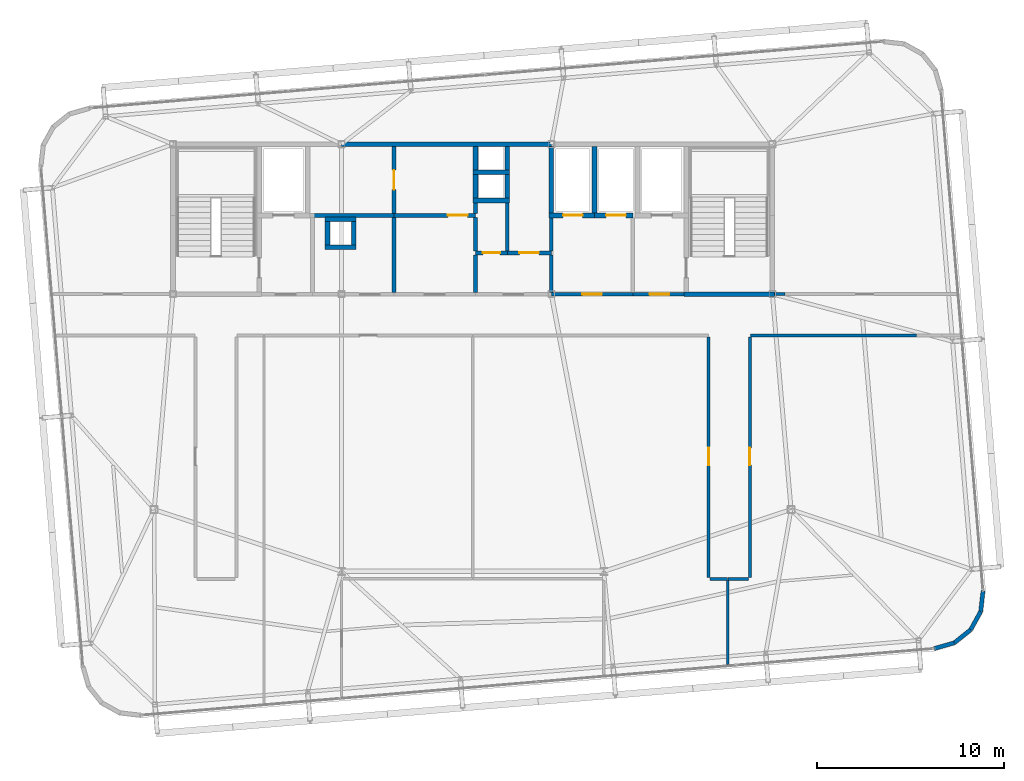
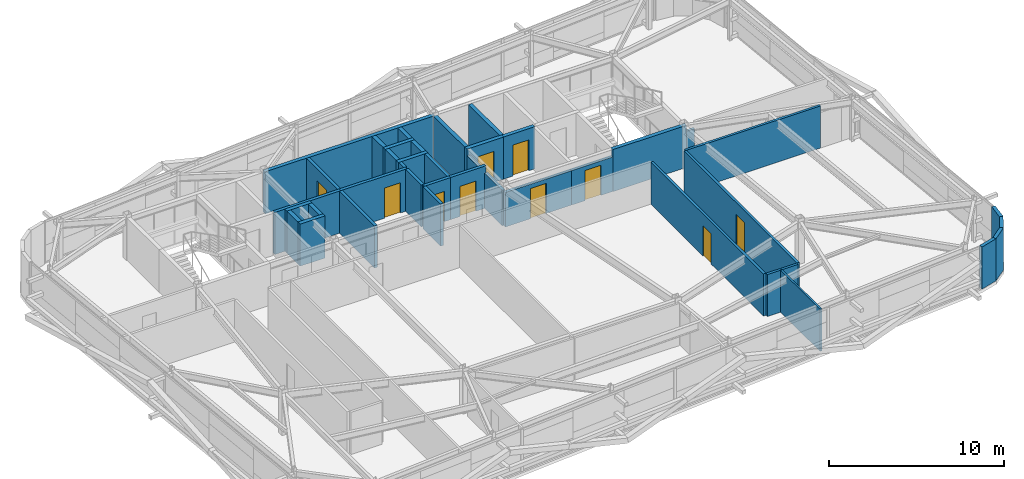
# One storey, part 36 of 39: 41 walls, 10 doors, 10 openings.
"""IFC4 building model written with IfcOpenShell, lengths in metres."""

from ifc_helpers import new_model, si_unit, direction, frame, frame_2d, origin, place, context, subcontext, project, spatial, rectangle, extrude, source, transform, mapped, material, layer, layer_set, type_object, element, fill, save


model = new_model("IFC4")

# Units and contexts
model_context = context("Model", 3, precision=1e-05, world=origin(), true_north=direction((0.0, 1.0)))
body_context = subcontext(model_context, "Body", "Model", "MODEL_VIEW")
ifc_project = project(units=[si_unit("LENGTHUNIT", "METRE"), si_unit("AREAUNIT", "SQUARE_METRE"), si_unit("VOLUMEUNIT", "CUBIC_METRE"), si_unit("PLANEANGLEUNIT", "RADIAN"), si_unit("MASSUNIT", "GRAM", prefix="KILO")], contexts=[model_context])

# Site, building, storey
site_placement = place(None, origin())
site = spatial("IfcSite", under=ifc_project, at=site_placement, CompositionType="ELEMENT")
building_placement = place(site_placement, origin())
building = spatial("IfcBuilding", under=site, at=building_placement, Name="Taldren Reach Tower", CompositionType="ELEMENT")
storey_placement = place(building_placement, frame((0.0, 0.0, 197.75)))
storey = spatial("IfcBuildingStorey", under=building, at=storey_placement, Name="L60", CompositionType="ELEMENT", Elevation=197.75)

# Walls
ifc_material_1 = material(Name="Pale Champagne Anodised Aluminium Cladding", Category="aluminium")
ifc_layer_1 = layer(ifc_material_1, 0.04, Name="Pale Champagne Anodised Aluminium Cladding", Category="aluminium")
ifc_material_2 = material(Name="Mineral Wool Acoustic Insulation", Category="insulation")
ifc_layer_2 = layer(ifc_material_2, 0.06, Name="Mineral Wool Acoustic Insulation", Category="insulation")
ifc_material_3 = material(Name="Steel Gr 350 (C350L0)", Category="steel")
ifc_layer_3 = layer(ifc_material_3, 0.12, Name="Steel Gr 350 (C350L0)", Category="steel")
ifc_layer_set_1 = layer_set([ifc_layer_1, ifc_layer_2, ifc_layer_3], Name="Pale Champagne Aluminium Cladding and Steel Gr 350 Stud Framing")
wall_type_1 = type_object("IfcWallType", Name="EW-CRN-220", PredefinedType="SOLIDWALL", material=ifc_layer_set_1)
shared_shape_1 = source(origin(), body_context, "Body", "SweptSolid", [
    extrude(rectangle(XDim=1.115966796875, YDim=0.219970703125, at=frame_2d((0.55810546875, 0.0))), origin(), (0.0, 0.0, 1.0), 2.929931640625),
])
for number, where, z_axis, x_axis, name in (
    (1, (59.635986328125, 5.0751953125, 0.0), (0.0, 0.0, 1.0), (0.961010464297, 0.276512002475, 0.0), "Rounded-corner pale-metal facade wall L60-SE1"),
    (2, (60.70849609375, 5.3837890625, 0.0), (0.0, 0.0, 1.0), (0.782147847222, 0.623092886403, 0.0), "Rounded-corner pale-metal facade wall L60-SE2"),
    (3, (61.581298828125, 6.0791015625, 0.0), (0.0, 0.0, 1.0), (0.483933071672, 0.875105012065, 0.0), "Rounded-corner pale-metal facade wall L60-SE3"),
    (4, (62.121337890625, 7.0556640625, 0.0), (0.0, 0.0, 1.0), (0.112448259968, 0.993657581277, 0.0), "Rounded-corner pale-metal facade wall L60-SE4"),
):
    element("IfcWall", number, at=place(storey_placement, frame(where, z_axis=z_axis, x_axis=x_axis)), inside=storey, type_object=wall_type_1, Name=name, PredefinedType="SOLIDWALL", context=body_context, shape_type="MappedRepresentation", body=[
        mapped(shared_shape_1, transform((0.0, 0.0, 0.0), scale=1.0)),
    ])

# Wall, opening, door
ifc_material_4 = material(Name="Concrete S50 (50 MPa)", Category="concrete")
ifc_layer_4 = layer(ifc_material_4, 0.199951171875)
ifc_layer_set_2 = layer_set([ifc_layer_4], Name="Concrete S50 (50 MPa)")
wall_type_2 = type_object("IfcWallType", Name="IW-CORE-200", PredefinedType="SOLIDWALL", material=ifc_layer_set_2)
shared_shape_2 = source(origin(), body_context, "Body", "SweptSolid", [
    extrude(rectangle(XDim=4.35009765625, YDim=0.199951171875, at=frame_2d((2.175048828125, 0.0))), origin(), (0.0, 0.0, 1.0), 2.39697265625),
])
wall_1_placement = place(storey_placement, frame((43.550048828125, 24.0, 0.0), z_axis=(0.0, 0.0, 1.0), x_axis=(-1.0, 0.0, 0.0)))
wall_1 = element("IfcWall", 5, at=wall_1_placement, inside=storey, type_object=wall_type_2, Name="Rear Core Shear Wall W-INT-L60-031", PredefinedType="SOLIDWALL", context=body_context, shape_type="MappedRepresentation", body=[
    mapped(shared_shape_2, transform((0.0, 0.0, 0.0), scale=1.0)),
])
shared_shape_3 = source(origin(), body_context, "Body", "SweptSolid", [
    extrude(rectangle(XDim=1.050048828125, YDim=2.10009765625, at=frame_2d((0.52490234375, 1.050048828125))), frame((0.0, 0.10986328125, 0.0), z_axis=(0.0, -1.0, 0.0), x_axis=(1.0, 0.0, 0.0)), (0.0, 0.0, 1.0), 0.219970703125),
])
opening_1_placement = place(wall_1_placement, frame((1.64990234375, 0.0, 0.0)))
opening_1 = element("IfcOpeningElement", 6, at=opening_1_placement, cuts=wall_1, Name="Opening DF-105", PredefinedType="OPENING", context=body_context, shape_type="MappedRepresentation", body=[
    mapped(shared_shape_3, transform((0.0, 0.0, 0.0), scale=1.0)),
])
ifc_material_5 = material(Name="Fire-Rated Care and Stair Exit Door")
door_type_1 = type_object("IfcDoorType", Name="ID-FIRE-105", OperationType="NOTDEFINED", PredefinedType="DOOR", material=ifc_material_5)
shared_shape_4 = source(origin(), body_context, "Body", "SweptSolid", [
    extrude(rectangle(XDim=1.050048828125, YDim=2.10009765625, at=frame_2d((0.52490234375, 1.050048828125))), frame((0.0, 0.02490234375, 0.0), z_axis=(0.0, -1.0, 0.0), x_axis=(1.0, 0.0, 0.0)), (0.0, 0.0, 1.0), 0.050048828125),
])
door_1_placement = place(opening_1_placement, frame((1.050048828125, 0.0, 0.0), z_axis=(0.0, 0.0, 1.0), x_axis=(-1.0, 0.0, 0.0)))
door_1 = element("IfcDoor", 7, at=door_1_placement, inside=storey, type_object=door_type_1, Name="Interior Door DR-L60-005", OperationType="SINGLE_SWING_LEFT", OverallHeight=2.10009765625, OverallWidth=1.050048828125, PredefinedType="DOOR", context=body_context, shape_type="MappedRepresentation", body=[
    mapped(shared_shape_4, transform((0.0, 0.0, 0.0), scale=1.0)),
])
fill(opening_1, door_1)

# Walls
shared_shape_5 = source(origin(), body_context, "Body", "SweptSolid", [
    extrude(rectangle(XDim=2.0, YDim=0.199951171875, at=frame_2d((1.0, 0.0))), origin(), (0.0, 0.0, 1.0), 2.469970703125),
])
wall_2_placement = place(storey_placement, frame((39.199951171875, 24.10009765625, 0.0), z_axis=(0.0, 0.0, 1.0), x_axis=(0.0, 1.0, 0.0)))
element("IfcWall", 8, at=wall_2_placement, inside=storey, type_object=wall_type_2, Name="Rear Core Shear Wall W-INT-L60-029", PredefinedType="SOLIDWALL", context=body_context, shape_type="MappedRepresentation", body=[
    mapped(shared_shape_5, transform((0.0, 0.0, 0.0), scale=1.0)),
])
shared_shape_6 = source(origin(), body_context, "Body", "SweptSolid", [
    extrude(rectangle(XDim=4.0, YDim=0.199951171875, at=frame_2d((2.0, 0.0))), origin(), (0.0, 0.0, 1.0), 2.929931640625),
])
wall_3_placement = place(storey_placement, frame((30.800048828125, 28.10009765625, 0.0), z_axis=(0.0, 0.0, 1.0), x_axis=(0.0, -1.0, 0.0)))
element("IfcWall", 9, at=wall_3_placement, inside=storey, type_object=wall_type_2, Name="Rear Core Shear Wall W-INT-L60-033", PredefinedType="SOLIDWALL", context=body_context, shape_type="MappedRepresentation", body=[
    mapped(shared_shape_6, transform((0.0, 0.0, 0.0), scale=1.0)),
])
shared_shape_7 = source(origin(), body_context, "Body", "SweptSolid", [
    extrude(rectangle(XDim=2.0, YDim=0.199951171875, at=frame_2d((1.0, 0.0))), origin(), (0.0, 0.0, 1.0), 2.929931640625),
])
wall_4_placement = place(storey_placement, frame((35.14990234375, 26.10009765625, 0.0), z_axis=(0.0, 0.0, 1.0), x_axis=(0.0, -1.0, 0.0)))
element("IfcWall", 10, at=wall_4_placement, inside=storey, type_object=wall_type_2, Name="Rear Core Shear Wall W-INT-L60-037", PredefinedType="SOLIDWALL", context=body_context, shape_type="MappedRepresentation", body=[
    mapped(shared_shape_7, transform((0.0, 0.0, 0.0), scale=1.0)),
])
shared_shape_8 = source(origin(), body_context, "Body", "SweptSolid", [
    extrude(rectangle(XDim=4.35009765625, YDim=0.199951171875, at=frame_2d((2.175048828125, 0.0))), origin(), (0.0, 0.0, 1.0), 2.929931640625),
])
wall_5_placement = place(storey_placement, frame((26.449951171875, 28.199951171875, 0.0), z_axis=(0.0, 0.0, 1.0), x_axis=(1.0, 0.0, 0.0)))
element("IfcWall", 11, at=wall_5_placement, inside=storey, type_object=wall_type_2, Name="Rear Core Shear Wall W-INT-L60-032", PredefinedType="SOLIDWALL", context=body_context, shape_type="MappedRepresentation", body=[
    mapped(shared_shape_8, transform((0.0, 0.0, 0.0), scale=1.0)),
])
ifc_material_6 = material(Name="Concrete S65 (65 MPa)", Category="concrete")
ifc_layer_5 = layer(ifc_material_6, 0.25)
ifc_layer_set_3 = layer_set([ifc_layer_5], Name="Concrete S65 (65 MPa)")
wall_type_3 = type_object("IfcWallType", Name="IW-CORE-250", PredefinedType="SHEAR", material=ifc_layer_set_3)
shared_shape_9 = source(origin(), body_context, "Body", "SweptSolid", [
    extrude(rectangle(XDim=11.199951171875, YDim=0.25, at=frame_2d((5.60009765625, 0.0))), origin(), (0.0, 0.0, 1.0), 2.929931640625),
])
wall_6_placement = place(storey_placement, frame((28.0, 32.0, 0.0), z_axis=(0.0, 0.0, 1.0), x_axis=(1.0, 0.0, 0.0)))
element("IfcWall", 12, at=wall_6_placement, inside=storey, type_object=wall_type_3, Name="Rear Core Shear Wall W-CORE-L60-NORTH2", PredefinedType="SHEAR", context=body_context, shape_type="MappedRepresentation", body=[
    mapped(shared_shape_9, transform((0.0, 0.0, 0.0), scale=1.0)),
])
shared_shape_10 = source(origin(), body_context, "Body", "SweptSolid", [
    extrude(rectangle(XDim=3.550048828125, YDim=0.25, at=frame_2d((1.77490234375, 0.0))), origin(), (0.0, 0.0, 1.0), 2.929931640625),
])
for number, where, z_axis, x_axis, name in (
    (13, (41.5, 28.324951171875, 0.0), (0.0, 0.0, 1.0), (0.0, 1.0, 0.0), "Rear Core Shear Wall W-INT-L60-025"),
    (14, (39.199951171875, 31.875, 0.0), (0.0, 0.0, 1.0), (0.0, -1.0, 0.0), "Rear Core Shear Wall W-INT-L60-027"),
):
    element("IfcWall", number, at=place(storey_placement, frame(where, z_axis=z_axis, x_axis=x_axis)), inside=storey, type_object=wall_type_3, Name=name, PredefinedType="SHEAR", context=body_context, shape_type="MappedRepresentation", body=[
        mapped(shared_shape_10, transform((0.0, 0.0, 0.0), scale=1.0)),
    ])
shared_shape_11 = source(origin(), body_context, "Body", "SweptSolid", [
    extrude(rectangle(XDim=4.85009765625, YDim=0.25, at=frame_2d((2.425048828125, 0.0))), origin(), (0.0, 0.0, 1.0), 2.929931640625),
])
wall_7_placement = place(storey_placement, frame((46.27490234375, 24.0, 0.0), z_axis=(0.0, 0.0, 1.0), x_axis=(1.0, 0.0, 0.0)))
element("IfcWall", 15, at=wall_7_placement, inside=storey, type_object=wall_type_3, Name="Rear Core Shear Wall W-INT-L60-010", PredefinedType="SHEAR", context=body_context, shape_type="MappedRepresentation", body=[
    mapped(shared_shape_11, transform((0.0, 0.0, 0.0), scale=1.0)),
])

# Wall, opening, door
shared_shape_12 = source(origin(), body_context, "Body", "SweptSolid", [
    extrude(rectangle(XDim=2.724853515625, YDim=0.199951171875, at=frame_2d((1.3623046875, 0.0))), origin(), (0.0, 0.0, 1.0), 2.39697265625),
])
wall_8_placement = place(storey_placement, frame((43.550048828125, 24.0, 0.0), z_axis=(0.0, 0.0, 1.0), x_axis=(1.0, 0.0, 0.0)))
wall_8 = element("IfcWall", 16, at=wall_8_placement, inside=storey, type_object=wall_type_2, Name="Rear Core Shear Wall W-INT-L60-014", PredefinedType="SOLIDWALL", context=body_context, shape_type="MappedRepresentation", body=[
    mapped(shared_shape_12, transform((0.0, 0.0, 0.0), scale=1.0)),
])
opening_2_placement = place(wall_8_placement, frame((0.89990234375, 0.0, 0.0)))
opening_2 = element("IfcOpeningElement", 17, at=opening_2_placement, cuts=wall_8, Name="Opening DF-105", PredefinedType="OPENING", context=body_context, shape_type="MappedRepresentation", body=[
    mapped(shared_shape_3, transform((0.0, 0.0, 0.0), scale=1.0)),
])
door_2_placement = place(opening_2_placement, origin())
door_2 = element("IfcDoor", 18, at=door_2_placement, inside=storey, type_object=door_type_1, Name="Interior Door DR-L60-004", OperationType="SINGLE_SWING_LEFT", OverallHeight=2.10009765625, OverallWidth=1.050048828125, PredefinedType="DOOR", context=body_context, shape_type="MappedRepresentation", body=[
    mapped(shared_shape_4, transform((0.0, 0.0, 0.0), scale=1.0)),
])
fill(opening_2, door_2)

# Walls
shared_shape_13 = source(origin(), body_context, "Body", "SweptSolid", [
    extrude(rectangle(XDim=1.9501953125, YDim=0.25, at=frame_2d((0.97509765625, 0.0))), origin(), (0.0, 0.0, 1.0), 2.929931640625),
])
for number, where, z_axis, x_axis, name in (
    (19, (35.02490234375, 30.5, 0.0), (0.0, 0.0, 1.0), (1.0, 0.0, 0.0), "Rear Core Shear Wall W-INT-L60-015"),
    (20, (35.02490234375, 29.0, 0.0), (0.0, 0.0, 1.0), (1.0, 0.0, 0.0), "Rear Core Shear Wall W-INT-L60-019"),
):
    element("IfcWall", number, at=place(storey_placement, frame(where, z_axis=z_axis, x_axis=x_axis)), inside=storey, type_object=wall_type_3, Name=name, PredefinedType="SHEAR", context=body_context, shape_type="MappedRepresentation", body=[
        mapped(shared_shape_13, transform((0.0, 0.0, 0.0), scale=1.0)),
    ])
shared_shape_14 = source(origin(), body_context, "Body", "SweptSolid", [
    extrude(rectangle(XDim=1.25, YDim=0.25, at=frame_2d((0.625, 0.0))), origin(), (0.0, 0.0, 1.0), 2.929931640625),
])
for number, where, z_axis, x_axis, name in (
    (21, (35.14990234375, 31.875, 0.0), (0.0, 0.0, 1.0), (0.0, -1.0, 0.0), "Rear Core Shear Wall W-INT-L60-016"),
    (22, (36.85009765625, 30.625, 0.0), (0.0, 0.0, 1.0), (0.0, 1.0, 0.0), "Rear Core Shear Wall W-INT-L60-017"),
    (23, (35.14990234375, 30.375, 0.0), (0.0, 0.0, 1.0), (0.0, -1.0, 0.0), "Rear Core Shear Wall W-INT-L60-018"),
    (24, (36.85009765625, 29.125, 0.0), (0.0, 0.0, 1.0), (0.0, 1.0, 0.0), "Rear Core Shear Wall W-INT-L60-020"),
    (25, (28.64990234375, 26.625, 0.0), (0.0, 0.0, 1.0), (0.0, 1.0, 0.0), "Rear Core Shear Wall W-INT-L60-021"),
    (26, (27.25, 27.875, 0.0), (0.0, 0.0, 1.0), (0.0, -1.0, 0.0), "Rear Core Shear Wall W-INT-L60-022"),
):
    element("IfcWall", number, at=place(storey_placement, frame(where, z_axis=z_axis, x_axis=x_axis)), inside=storey, type_object=wall_type_3, Name=name, PredefinedType="SHEAR", context=body_context, shape_type="MappedRepresentation", body=[
        mapped(shared_shape_14, transform((0.0, 0.0, 0.0), scale=1.0)),
    ])
shared_shape_15 = source(origin(), body_context, "Body", "SweptSolid", [
    extrude(rectangle(XDim=1.64990234375, YDim=0.25, at=frame_2d((0.824951171875, 0.0))), origin(), (0.0, 0.0, 1.0), 2.929931640625),
])
for number, where, z_axis, x_axis, name in (
    (27, (28.77490234375, 28.0, 0.0), (0.0, 0.0, 1.0), (-1.0, 0.0, 0.0), "Rear Core Shear Wall W-INT-L60-023"),
    (28, (27.125, 26.5, 0.0), (0.0, 0.0, 1.0), (1.0, 0.0, 0.0), "Rear Core Shear Wall W-INT-L60-024"),
):
    element("IfcWall", number, at=place(storey_placement, frame(where, z_axis=z_axis, x_axis=x_axis)), inside=storey, type_object=wall_type_3, Name=name, PredefinedType="SHEAR", context=body_context, shape_type="MappedRepresentation", body=[
        mapped(shared_shape_15, transform((0.0, 0.0, 0.0), scale=1.0)),
    ])

# Wall, opening, door
shared_shape_16 = source(origin(), body_context, "Body", "SweptSolid", [
    extrude(rectangle(XDim=2.425048828125, YDim=0.25, at=frame_2d((1.21240234375, 0.0))), origin(), (0.0, 0.0, 1.0), 2.929931640625),
])
wall_9_placement = place(storey_placement, frame((39.074951171875, 28.199951171875, 0.0), z_axis=(0.0, 0.0, 1.0), x_axis=(1.0, 0.0, 0.0)))
wall_9 = element("IfcWall", 29, at=wall_9_placement, inside=storey, type_object=wall_type_3, Name="Rear Core Shear Wall W-INT-L60-026", PredefinedType="SHEAR", context=body_context, shape_type="MappedRepresentation", body=[
    mapped(shared_shape_16, transform((0.0, 0.0, 0.0), scale=1.0)),
])
shared_shape_17 = source(origin(), body_context, "Body", "SweptSolid", [
    extrude(rectangle(XDim=1.050048828125, YDim=2.14990234375, at=frame_2d((0.52490234375, 1.074951171875))), frame((0.0, 0.135009765625, 0.0), z_axis=(0.0, -1.0, 0.0), x_axis=(1.0, 0.0, 0.0)), (0.0, 0.0, 1.0), 0.27001953125),
])
opening_3_placement = place(wall_9_placement, frame((0.75, 0.0, 0.0)))
opening_3 = element("IfcOpeningElement", 30, at=opening_3_placement, cuts=wall_9, Name="Opening LD-PH1", PredefinedType="OPENING", context=body_context, shape_type="MappedRepresentation", body=[
    mapped(shared_shape_17, transform((0.0, 0.0, 0.0), scale=1.0)),
])
ifc_material_7 = material(Name="Stainless Steel Gr 316 Passenger Lift Landing Door", Category="steel")
door_type_2 = type_object("IfcDoorType", Name="LD-PAS-105", OperationType="SLIDING_TO_LEFT", PredefinedType="DOOR", material=ifc_material_7)
shared_shape_18 = source(origin(), body_context, "Body", "SweptSolid", [
    extrude(rectangle(XDim=1.050048828125, YDim=2.14990234375, at=frame_2d((0.52490234375, 1.074951171875))), frame((0.0, 0.02490234375, 0.0), z_axis=(0.0, -1.0, 0.0), x_axis=(1.0, 0.0, 0.0)), (0.0, 0.0, 1.0), 0.050048828125),
])
door_3_placement = place(opening_3_placement, origin())
door_3 = element("IfcDoor", 31, at=door_3_placement, inside=storey, type_object=door_type_2, Name="Lift Landing Door LD-PH1-L60", OperationType="SLIDING_TO_LEFT", OverallHeight=2.14990234375, OverallWidth=1.050048828125, PredefinedType="DOOR", context=body_context, shape_type="MappedRepresentation", body=[
    mapped(shared_shape_18, transform((0.0, 0.0, 0.0), scale=1.0)),
])
fill(opening_3, door_3)

shared_shape_19 = source(origin(), body_context, "Body", "SweptSolid", [
    extrude(rectangle(XDim=2.070068359375, YDim=0.25, at=frame_2d((1.03515625, 0.0))), origin(), (0.0, 0.0, 1.0), 2.929931640625),
])
wall_10_placement = place(storey_placement, frame((41.5, 28.199951171875, 0.0), z_axis=(0.0, 0.0, 1.0), x_axis=(1.0, 0.0, 0.0)))
wall_10 = element("IfcWall", 32, at=wall_10_placement, inside=storey, type_object=wall_type_3, Name="Rear Core Shear Wall W-INT-L60-028", PredefinedType="SHEAR", context=body_context, shape_type="MappedRepresentation", body=[
    mapped(shared_shape_19, transform((0.0, 0.0, 0.0), scale=1.0)),
])
opening_4_placement = place(wall_10_placement, frame((0.625, 0.0, 0.0)))
opening_4 = element("IfcOpeningElement", 33, at=opening_4_placement, cuts=wall_10, Name="Opening LD-PH2", PredefinedType="OPENING", context=body_context, shape_type="MappedRepresentation", body=[
    mapped(shared_shape_17, transform((0.0, 0.0, 0.0), scale=1.0)),
])
door_4_placement = place(opening_4_placement, origin())
door_4 = element("IfcDoor", 34, at=door_4_placement, inside=storey, type_object=door_type_2, Name="Lift Landing Door LD-PH2-L60", OperationType="SLIDING_TO_LEFT", OverallHeight=2.14990234375, OverallWidth=1.050048828125, PredefinedType="DOOR", context=body_context, shape_type="MappedRepresentation", body=[
    mapped(shared_shape_18, transform((0.0, 0.0, 0.0), scale=1.0)),
])
fill(opening_4, door_4)

ifc_material_8 = material(Name="Fire-Rated Acoustic Plasterboard Stud Wall", Category="gypsum")
ifc_layer_6 = layer(ifc_material_8, 0.159912109375)
ifc_layer_set_4 = layer_set([ifc_layer_6], Name="Fire-Rated Acoustic Plasterboard Stud Wall")
wall_type_4 = type_object("IfcWallType", Name="IW-FIRE-160", PredefinedType="PARTITIONING", material=ifc_layer_set_4)
shared_shape_20 = source(origin(), body_context, "Body", "SweptSolid", [
    extrude(rectangle(XDim=12.840087890625, YDim=0.159912109375, at=frame_2d((6.419921875, 0.0))), origin(), (0.0, 0.0, 1.0), 2.929931640625),
])
wall_11_placement = place(storey_placement, frame((47.60009765625, 8.8798828125, 0.0), z_axis=(0.0, 0.0, 1.0), x_axis=(0.0, 1.0, 0.0)))
wall_11 = element("IfcWall", 35, at=wall_11_placement, inside=storey, type_object=wall_type_4, Name="Interior Partition Wall W-INT-L60-053", PredefinedType="PARTITIONING", context=body_context, shape_type="MappedRepresentation", body=[
    mapped(shared_shape_20, transform((0.0, 0.0, 0.0), scale=1.0)),
])
shared_shape_21 = source(origin(), body_context, "Body", "SweptSolid", [
    extrude(rectangle(XDim=0.919921875, YDim=2.10009765625, at=frame_2d((0.4599609375, 1.050048828125))), frame((0.0, 0.08984375, 0.0), z_axis=(0.0, -1.0, 0.0), x_axis=(1.0, 0.0, 0.0)), (0.0, 0.0, 1.0), 0.179931640625),
])
opening_5_placement = place(wall_11_placement, frame((5.98974609375, 0.0, 0.0)))
opening_5 = element("IfcOpeningElement", 36, at=opening_5_placement, cuts=wall_11, Name="Opening DI-092", PredefinedType="OPENING", context=body_context, shape_type="MappedRepresentation", body=[
    mapped(shared_shape_21, transform((0.0, 0.0, 0.0), scale=1.0)),
])
ifc_material_9 = material(Name="Solid-Core Timber Suite Door", Category="wood")
door_type_3 = type_object("IfcDoorType", Name="ID-INT-092", OperationType="NOTDEFINED", PredefinedType="DOOR", material=ifc_material_9)
shared_shape_22 = source(origin(), body_context, "Body", "SweptSolid", [
    extrude(rectangle(XDim=0.919921875, YDim=2.10009765625, at=frame_2d((0.4599609375, 1.050048828125))), frame((0.0, 0.02490234375, 0.0), z_axis=(0.0, -1.0, 0.0), x_axis=(1.0, 0.0, 0.0)), (0.0, 0.0, 1.0), 0.050048828125),
])
door_5_placement = place(opening_5_placement, origin())
door_5 = element("IfcDoor", 37, at=door_5_placement, inside=storey, type_object=door_type_3, Name="Interior Door DR-L60-017", OperationType="SINGLE_SWING_RIGHT", OverallHeight=2.10009765625, OverallWidth=0.919921875, PredefinedType="DOOR", context=body_context, shape_type="MappedRepresentation", body=[
    mapped(shared_shape_22, transform((0.0, 0.0, 0.0), scale=1.0)),
])
fill(opening_5, door_5)

wall_12_placement = place(storey_placement, frame((49.800048828125, 21.719970703125, 0.0), z_axis=(0.0, 0.0, 1.0), x_axis=(0.0, -1.0, 0.0)))
wall_12 = element("IfcWall", 38, at=wall_12_placement, inside=storey, type_object=wall_type_4, Name="Interior Partition Wall W-INT-L60-056", PredefinedType="PARTITIONING", context=body_context, shape_type="MappedRepresentation", body=[
    mapped(shared_shape_20, transform((0.0, 0.0, 0.0), scale=1.0)),
])
opening_6_placement = place(wall_12_placement, frame((5.93017578125, 0.0, 0.0)))
opening_6 = element("IfcOpeningElement", 39, at=opening_6_placement, cuts=wall_12, Name="Opening DI-092", PredefinedType="OPENING", context=body_context, shape_type="MappedRepresentation", body=[
    mapped(shared_shape_21, transform((0.0, 0.0, 0.0), scale=1.0)),
])
door_6_placement = place(opening_6_placement, origin())
door_6 = element("IfcDoor", 40, at=door_6_placement, inside=storey, type_object=door_type_3, Name="Interior Door DR-L60-018", OperationType="SINGLE_SWING_LEFT", OverallHeight=2.10009765625, OverallWidth=0.919921875, PredefinedType="DOOR", context=body_context, shape_type="MappedRepresentation", body=[
    mapped(shared_shape_22, transform((0.0, 0.0, 0.0), scale=1.0)),
])
fill(opening_6, door_6)

# Walls
shared_shape_23 = source(origin(), body_context, "Body", "SweptSolid", [
    extrude(rectangle(XDim=0.5556640625, YDim=0.159912109375, at=frame_2d((0.27783203125, 0.0))), origin(), (0.0, 0.0, 1.0), 2.469970703125),
])
wall_13_placement = place(storey_placement, frame((51.125, 24.0, 0.0), z_axis=(0.0, 0.0, 1.0), x_axis=(1.0, 0.0, 0.0)))
element("IfcWall", 41, at=wall_13_placement, inside=storey, type_object=wall_type_4, Name="Interior Partition Wall W-INT-L60-052", PredefinedType="PARTITIONING", context=body_context, shape_type="MappedRepresentation", body=[
    mapped(shared_shape_23, transform((0.0, 0.0, 0.0), scale=1.0)),
])
shared_shape_24 = source(origin(), body_context, "Body", "SweptSolid", [
    extrude(rectangle(XDim=1.77490234375, YDim=0.199951171875, at=frame_2d((0.887451171875, 0.0))), origin(), (0.0, 0.0, 1.0), 2.469970703125),
])
wall_14_placement = place(storey_placement, frame((39.199951171875, 26.300048828125, 0.0), z_axis=(0.0, 0.0, 1.0), x_axis=(0.0, 1.0, 0.0)))
element("IfcWall", 42, at=wall_14_placement, inside=storey, type_object=wall_type_2, Name="Rear Core Shear Wall W-INT-L60-030", PredefinedType="SOLIDWALL", context=body_context, shape_type="MappedRepresentation", body=[
    mapped(shared_shape_24, transform((0.0, 0.0, 0.0), scale=1.0)),
])

# Wall, opening, door
shared_shape_25 = source(origin(), body_context, "Body", "SweptSolid", [
    extrude(rectangle(XDim=3.574951171875, YDim=0.199951171875, at=frame_2d((1.78759765625, 0.0))), origin(), (0.0, 0.0, 1.0), 2.929931640625),
])
wall_15_placement = place(storey_placement, frame((30.800048828125, 31.875, 0.0), z_axis=(0.0, 0.0, 1.0), x_axis=(0.0, -1.0, 0.0)))
wall_15 = element("IfcWall", 43, at=wall_15_placement, inside=storey, type_object=wall_type_2, Name="Rear Core Shear Wall W-INT-L60-035", PredefinedType="SOLIDWALL", context=body_context, shape_type="MappedRepresentation", body=[
    mapped(shared_shape_25, transform((0.0, 0.0, 0.0), scale=1.0)),
])
opening_7_placement = place(wall_15_placement, frame((1.25, 0.0, 0.0)))
opening_7 = element("IfcOpeningElement", 44, at=opening_7_placement, cuts=wall_15, Name="Opening DF-105", PredefinedType="OPENING", context=body_context, shape_type="MappedRepresentation", body=[
    mapped(shared_shape_3, transform((0.0, 0.0, 0.0), scale=1.0)),
])
door_7_placement = place(opening_7_placement, origin())
door_7 = element("IfcDoor", 45, at=door_7_placement, inside=storey, type_object=door_type_1, Name="Interior Door DR-L60-007", OperationType="SINGLE_SWING_RIGHT", OverallHeight=2.10009765625, OverallWidth=1.050048828125, PredefinedType="DOOR", context=body_context, shape_type="MappedRepresentation", body=[
    mapped(shared_shape_4, transform((0.0, 0.0, 0.0), scale=1.0)),
])
fill(opening_7, door_7)

shared_shape_26 = source(origin(), body_context, "Body", "SweptSolid", [
    extrude(rectangle(XDim=4.349853515625, YDim=0.199951171875, at=frame_2d((2.1748046875, 0.0))), origin(), (0.0, 0.0, 1.0), 2.929931640625),
])
wall_16_placement = place(storey_placement, frame((30.800048828125, 28.199951171875, 0.0), z_axis=(0.0, 0.0, 1.0), x_axis=(1.0, 0.0, 0.0)))
wall_16 = element("IfcWall", 46, at=wall_16_placement, inside=storey, type_object=wall_type_2, Name="Rear Core Shear Wall W-INT-L60-036", PredefinedType="SOLIDWALL", context=body_context, shape_type="MappedRepresentation", body=[
    mapped(shared_shape_26, transform((0.0, 0.0, 0.0), scale=1.0)),
])
opening_8_placement = place(wall_16_placement, frame((2.8798828125, 0.0, 0.0)))
opening_8 = element("IfcOpeningElement", 47, at=opening_8_placement, cuts=wall_16, Name="Opening DF-105", PredefinedType="OPENING", context=body_context, shape_type="MappedRepresentation", body=[
    mapped(shared_shape_3, transform((0.0, 0.0, 0.0), scale=1.0)),
])
door_8_placement = place(opening_8_placement, origin())
door_8 = element("IfcDoor", 48, at=door_8_placement, inside=storey, type_object=door_type_1, Name="Interior Door DR-L60-008", OperationType="SINGLE_SWING_RIGHT", OverallHeight=2.10009765625, OverallWidth=1.050048828125, PredefinedType="DOOR", context=body_context, shape_type="MappedRepresentation", body=[
    mapped(shared_shape_4, transform((0.0, 0.0, 0.0), scale=1.0)),
])
fill(opening_8, door_8)

# Walls
shared_shape_27 = source(origin(), body_context, "Body", "SweptSolid", [
    extrude(rectangle(XDim=1.800048828125, YDim=0.199951171875, at=frame_2d((0.89990234375, 0.0))), origin(), (0.0, 0.0, 1.0), 2.929931640625),
])
wall_17_placement = place(storey_placement, frame((35.14990234375, 28.10009765625, 0.0), z_axis=(0.0, 0.0, 1.0), x_axis=(0.0, -1.0, 0.0)))
element("IfcWall", 49, at=wall_17_placement, inside=storey, type_object=wall_type_2, Name="Rear Core Shear Wall W-INT-L60-038", PredefinedType="SOLIDWALL", context=body_context, shape_type="MappedRepresentation", body=[
    mapped(shared_shape_27, transform((0.0, 0.0, 0.0), scale=1.0)),
])
shared_shape_28 = source(origin(), body_context, "Body", "SweptSolid", [
    extrude(rectangle(XDim=0.574951171875, YDim=0.199951171875, at=frame_2d((0.28759765625, 0.0))), origin(), (0.0, 0.0, 1.0), 2.929931640625),
])
wall_18_placement = place(storey_placement, frame((35.14990234375, 28.875, 0.0), z_axis=(0.0, 0.0, 1.0), x_axis=(0.0, -1.0, 0.0)))
element("IfcWall", 50, at=wall_18_placement, inside=storey, type_object=wall_type_2, Name="Rear Core Shear Wall W-INT-L60-040", PredefinedType="SOLIDWALL", context=body_context, shape_type="MappedRepresentation", body=[
    mapped(shared_shape_28, transform((0.0, 0.0, 0.0), scale=1.0)),
])

# Wall, opening, door
shared_shape_29 = source(origin(), body_context, "Body", "SweptSolid", [
    extrude(rectangle(XDim=1.72021484375, YDim=0.199951171875, at=frame_2d((0.860107421875, 0.0))), origin(), (0.0, 0.0, 1.0), 2.929931640625),
])
wall_19_placement = place(storey_placement, frame((35.14990234375, 26.199951171875, 0.0), z_axis=(0.0, 0.0, 1.0), x_axis=(1.0, 0.0, 0.0)))
wall_19 = element("IfcWall", 51, at=wall_19_placement, inside=storey, type_object=wall_type_2, Name="Rear Core Shear Wall W-INT-L60-041", PredefinedType="SOLIDWALL", context=body_context, shape_type="MappedRepresentation", body=[
    mapped(shared_shape_29, transform((0.0, 0.0, 0.0), scale=1.0)),
])
shared_shape_30 = source(origin(), body_context, "Body", "SweptSolid", [
    extrude(rectangle(XDim=0.919921875, YDim=2.10009765625, at=frame_2d((0.4599609375, 1.050048828125))), frame((0.0, 0.10986328125, 0.0), z_axis=(0.0, -1.0, 0.0), x_axis=(1.0, 0.0, 0.0)), (0.0, 0.0, 1.0), 0.219970703125),
])
opening_9_placement = place(wall_19_placement, frame((0.39990234375, 0.0, 0.0)))
opening_9 = element("IfcOpeningElement", 52, at=opening_9_placement, cuts=wall_19, Name="Opening DF-092", PredefinedType="OPENING", context=body_context, shape_type="MappedRepresentation", body=[
    mapped(shared_shape_30, transform((0.0, 0.0, 0.0), scale=1.0)),
])
ifc_material_10 = material(Name="Fire-Rated Apartment Entrance Door")
door_type_4 = type_object("IfcDoorType", Name="ID-FIRE-092", OperationType="NOTDEFINED", PredefinedType="DOOR", material=ifc_material_10)
door_9_placement = place(opening_9_placement, origin())
door_9 = element("IfcDoor", 53, at=door_9_placement, inside=storey, type_object=door_type_4, Name="Interior Door DR-L60-010", OperationType="SINGLE_SWING_LEFT", OverallHeight=2.10009765625, OverallWidth=0.919921875, PredefinedType="DOOR", context=body_context, shape_type="MappedRepresentation", body=[
    mapped(shared_shape_22, transform((0.0, 0.0, 0.0), scale=1.0)),
])
fill(opening_9, door_9)

shared_shape_31 = source(origin(), body_context, "Body", "SweptSolid", [
    extrude(rectangle(XDim=2.369873046875, YDim=0.199951171875, at=frame_2d((1.18505859375, 0.0))), origin(), (0.0, 0.0, 1.0), 2.929931640625),
])
wall_20_placement = place(storey_placement, frame((36.830078125, 26.199951171875, 0.0), z_axis=(0.0, 0.0, 1.0), x_axis=(1.0, 0.0, 0.0)))
wall_20 = element("IfcWall", 54, at=wall_20_placement, inside=storey, type_object=wall_type_2, Name="Rear Core Shear Wall W-INT-L60-042", PredefinedType="SOLIDWALL", context=body_context, shape_type="MappedRepresentation", body=[
    mapped(shared_shape_31, transform((0.0, 0.0, 0.0), scale=1.0)),
])
opening_10_placement = place(wall_20_placement, frame((0.659912109375, 0.0, 0.0)))
opening_10 = element("IfcOpeningElement", 55, at=opening_10_placement, cuts=wall_20, Name="Opening DF-105", PredefinedType="OPENING", context=body_context, shape_type="MappedRepresentation", body=[
    mapped(shared_shape_3, transform((0.0, 0.0, 0.0), scale=1.0)),
])
door_10_placement = place(opening_10_placement, origin())
door_10 = element("IfcDoor", 56, at=door_10_placement, inside=storey, type_object=door_type_1, Name="Interior Door DR-L60-011", OperationType="SINGLE_SWING_RIGHT", OverallHeight=2.10009765625, OverallWidth=1.050048828125, PredefinedType="DOOR", context=body_context, shape_type="MappedRepresentation", body=[
    mapped(shared_shape_4, transform((0.0, 0.0, 0.0), scale=1.0)),
])
fill(opening_10, door_10)

# Walls
shared_shape_32 = source(origin(), body_context, "Body", "SweptSolid", [
    extrude(rectangle(XDim=2.574951171875, YDim=0.199951171875, at=frame_2d((1.28759765625, 0.0))), origin(), (0.0, 0.0, 1.0), 2.929931640625),
])
wall_21_placement = place(storey_placement, frame((36.85009765625, 28.875, 0.0), z_axis=(0.0, 0.0, 1.0), x_axis=(0.0, -1.0, 0.0)))
element("IfcWall", 57, at=wall_21_placement, inside=storey, type_object=wall_type_2, Name="Rear Core Shear Wall W-INT-L60-044", PredefinedType="SOLIDWALL", context=body_context, shape_type="MappedRepresentation", body=[
    mapped(shared_shape_32, transform((0.0, 0.0, 0.0), scale=1.0)),
])
shared_shape_33 = source(origin(), body_context, "Body", "SweptSolid", [
    extrude(rectangle(XDim=0.91748046875, YDim=0.159912109375, at=frame_2d((0.458740234375, 0.0))), origin(), (0.0, 0.0, 1.0), 2.929931640625),
])
wall_22_placement = place(storey_placement, frame((48.597412109375, 8.800048828125, 0.0), z_axis=(0.0, 0.0, 1.0), x_axis=(-1.0, 0.0, 0.0)))
element("IfcWall", 58, at=wall_22_placement, inside=storey, type_object=wall_type_4, Name="Interior Partition Wall W-INT-L60-055", PredefinedType="PARTITIONING", context=body_context, shape_type="MappedRepresentation", body=[
    mapped(shared_shape_33, transform((0.0, 0.0, 0.0), scale=1.0)),
])
shared_shape_34 = source(origin(), body_context, "Body", "SweptSolid", [
    extrude(rectangle(XDim=8.877685546875, YDim=0.159912109375, at=frame_2d((4.43896484375, 0.0))), origin(), (0.0, 0.0, 1.0), 2.929931640625),
])
wall_23_placement = place(storey_placement, frame((58.697998046875, 21.800048828125, 0.0), z_axis=(0.0, 0.0, 1.0), x_axis=(-1.0, 0.0, 0.0)))
element("IfcWall", 59, at=wall_23_placement, inside=storey, type_object=wall_type_4, Name="Interior Partition Wall W-INT-L60-057 part 3", PredefinedType="PARTITIONING", context=body_context, shape_type="MappedRepresentation", body=[
    mapped(shared_shape_34, transform((0.0, 0.0, 0.0), scale=1.0)),
])
shared_shape_35 = source(origin(), body_context, "Body", "SweptSolid", [
    extrude(rectangle(XDim=1.082275390625, YDim=0.159912109375, at=frame_2d((0.541015625, 0.0))), origin(), (0.0, 0.0, 1.0), 2.929931640625),
])
wall_24_placement = place(storey_placement, frame((49.719970703125, 8.800048828125, 0.0), z_axis=(0.0, 0.0, 1.0), x_axis=(-1.0, 0.0, 0.0)))
element("IfcWall", 60, at=wall_24_placement, inside=storey, type_object=wall_type_4, Name="Interior Partition Wall W-INT-L60-058", PredefinedType="PARTITIONING", context=body_context, shape_type="MappedRepresentation", body=[
    mapped(shared_shape_35, transform((0.0, 0.0, 0.0), scale=1.0)),
])
ifc_material_11 = material(Name="Insulated Residential Stud Partition", Category="gypsum")
ifc_layer_7 = layer(ifc_material_11, 0.1201171875)
ifc_layer_set_5 = layer_set([ifc_layer_7], Name="Insulated Residential Stud Partition")
wall_type_5 = type_object("IfcWallType", Name="IW-PART-120", PredefinedType="PARTITIONING", material=ifc_layer_set_5)
shared_shape_36 = source(origin(), body_context, "Body", "SweptSolid", [
    extrude(rectangle(XDim=4.486572265625, YDim=0.1201171875, at=frame_2d((2.2431640625, 0.0))), origin(), (0.0, 0.0, 1.0), 2.929931640625),
])
wall_25_placement = place(storey_placement, frame((48.61767578125, 8.719970703125, 0.0), z_axis=(0.0, 0.0, 1.0), x_axis=(0.0, -1.0, 0.0)))
element("IfcWall", 61, at=wall_25_placement, inside=storey, type_object=wall_type_5, Name="Interior Partition Wall W-INT-L60-065", PredefinedType="PARTITIONING", context=body_context, shape_type="MappedRepresentation", body=[
    mapped(shared_shape_36, transform((0.0, 0.0, 0.0), scale=1.0)),
])

save(model, "model.ifc")
